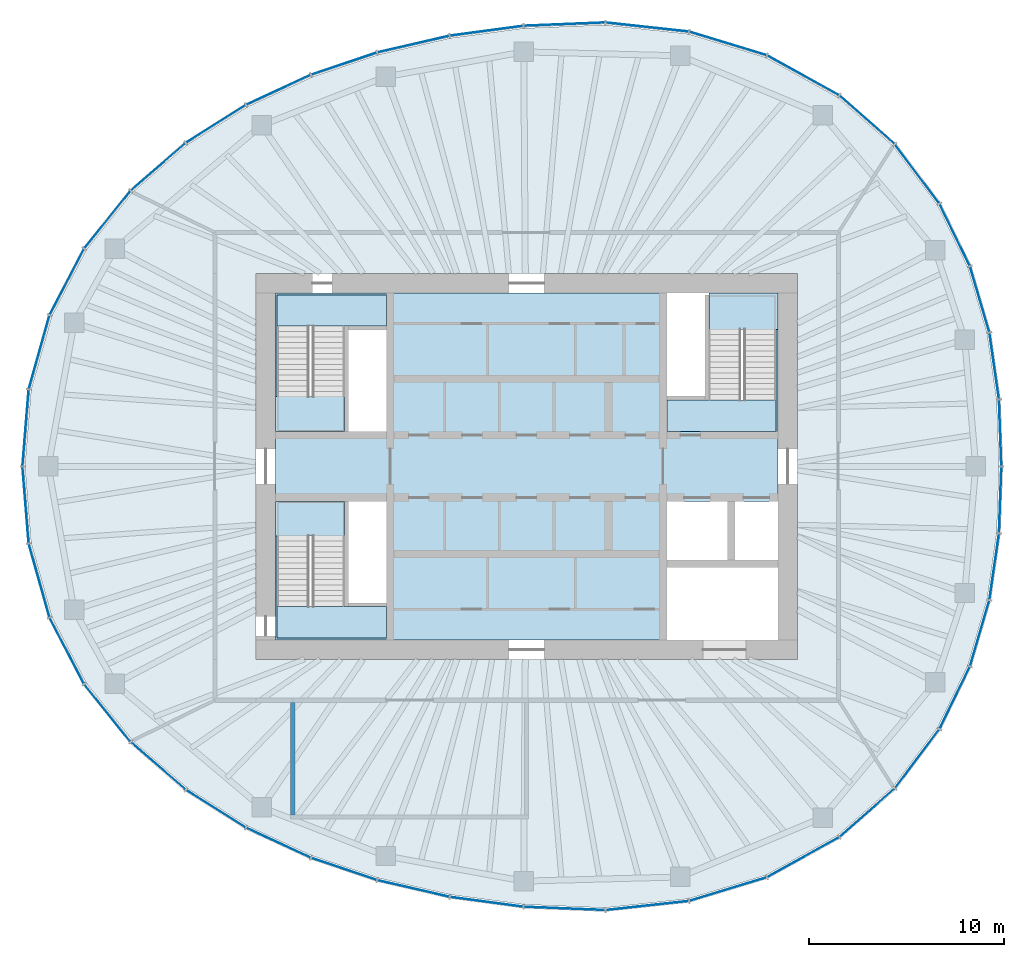
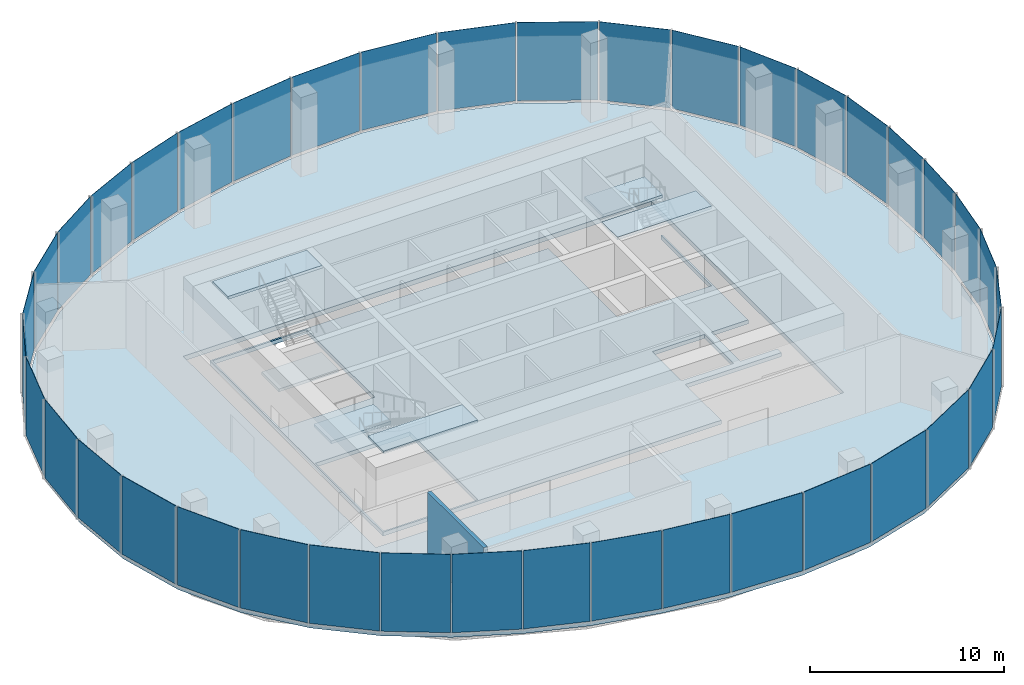
# One storey, part 7 of 11: 40 plates, 8 slabs, 1 wall, 23 elements without a shape of their own.
"""IFC4 building model written with IfcOpenShell, lengths in metres."""

import ifcopenshell
import ifcopenshell.guid

model = None  # the IFC model being written
_history = None  # IfcOwnerHistory: only IFC2X3 demands one
_inside = {}  # id of a spatial element -> (the spatial element, [elements in it])
_under = {}  # id of a project, library or spatial element -> (it, [spatial elements below it])
_declared = {}  # id of a project -> (the project, [libraries it declares])
_typed = {}  # id of a type object -> (the type object, [elements of that type])
_made_of = {}  # id of a material, layer set ... -> (it, [elements and type objects made of it])


def new_model(schema):
    """Start an empty IFC model of exactly this schema.

    Asked for "IFC4X3", IfcOpenShell would pick the latest addendum, in which some entities
    have other attributes; the version numbers below select the first issue.
    IFC2X3 requires an IfcOwnerHistory on every rooted entity: one is made here for all.
    """
    global model, _history
    if schema == "IFC4X3":
        model = ifcopenshell.file(schema_version=(4, 3, 0, 0))
    else:
        model = ifcopenshell.file(schema=schema)
    _inside.clear()
    _under.clear()
    _declared.clear()
    _typed.clear()
    _made_of.clear()
    _history = None
    if model.schema == "IFC2X3":
        org = make("IfcOrganization", Name="unknown")
        user = make(
            "IfcPersonAndOrganization",
            ThePerson=make("IfcPerson", FamilyName="unknown"),
            TheOrganization=org,
        )
        app = make(
            "IfcApplication",
            ApplicationDeveloper=org,
            Version="unknown",
            ApplicationFullName="unknown",
            ApplicationIdentifier="unknown",
        )
        _history = make(
            "IfcOwnerHistory",
            OwningUser=user,
            OwningApplication=app,
            ChangeAction="ADDED",
            CreationDate=0,
        )
    return model


def make(cls, **values):
    """One entity of the class cls with the attributes given. An attribute that is None is left unset."""
    return model.create_entity(
        cls, **{name: value for name, value in values.items() if value is not None}
    )


def rooted(cls, **values):
    """An entity with a GlobalId (a new one), such as an element, a storey or a relation."""
    return make(cls, GlobalId=ifcopenshell.guid.new(), OwnerHistory=_history, **values)


def si_unit(unit_type, name, prefix=None):
    """IfcSIUnit, for example si_unit("LENGTHUNIT", "METRE", prefix="MILLI")."""
    return make("IfcSIUnit", UnitType=unit_type, Prefix=prefix, Name=name)


def assignment(units):
    """IfcUnitAssignment: the units of a project."""
    return None if units is None else make("IfcUnitAssignment", Units=units)


def point(xyz):
    """IfcCartesianPoint."""
    return None if xyz is None else make("IfcCartesianPoint", Coordinates=xyz)


def direction(xyz):
    """IfcDirection."""
    return None if xyz is None else make("IfcDirection", DirectionRatios=xyz)


def frame(location, z_axis=None, x_axis=None):
    """IfcAxis2Placement3D, a coordinate frame: its origin and axes. An axis left out is left unset."""
    return make(
        "IfcAxis2Placement3D",
        Location=point(location),
        Axis=direction(z_axis),
        RefDirection=direction(x_axis),
    )


def frame_2d(location, x_axis=None):
    """IfcAxis2Placement2D, a coordinate frame in the plane: its origin and x axis."""
    return make(
        "IfcAxis2Placement2D", Location=point(location), RefDirection=direction(x_axis)
    )


def origin():
    """The frame at (0, 0, 0) with its axes left unset."""
    return frame((0.0, 0.0, 0.0))


def origin_2d():
    """The frame at (0, 0) in the plane with its x axis left unset."""
    return frame_2d((0.0, 0.0))


def place(relative_to, where):
    """IfcLocalPlacement: puts the frame where relative to a parent placement (None: the world)."""
    return make(
        "IfcLocalPlacement", PlacementRelTo=relative_to, RelativePlacement=where
    )


def context(
    kind, dimensions, precision=None, world=None, true_north=None, identifier=None
):
    """IfcGeometricRepresentationContext, for example the 3D "Model" context."""
    return make(
        "IfcGeometricRepresentationContext",
        ContextIdentifier=identifier,
        ContextType=kind,
        CoordinateSpaceDimension=dimensions,
        Precision=precision,
        WorldCoordinateSystem=world,
        TrueNorth=true_north,
    )


def subcontext(parent, identifier, kind, view, scale=None):
    """IfcGeometricRepresentationSubContext, for example "Body" below "Model"."""
    return make(
        "IfcGeometricRepresentationSubContext",
        ContextIdentifier=identifier,
        ContextType=kind,
        ParentContext=parent,
        TargetScale=scale,
        TargetView=view,
    )


def project(units=None, contexts=None):
    """IfcProject with its units and contexts."""
    return rooted(
        "IfcProject",
        Name="project",
        RepresentationContexts=contexts,
        UnitsInContext=assignment(units),
    )


def spatial(cls, under=None, at=None, **own):
    """A site, building, storey or space (cls), placed at a placement, below another one or the project."""
    s = rooted(cls, ObjectPlacement=at, **own)
    if under is not None:
        _under.setdefault(under.id(), (under, []))[1].append(s)
    return s


def polyline(points):
    """IfcPolyline through the points."""
    return make("IfcPolyline", Points=[point(p) for p in points])


def profile(cls, at=None, kind="AREA", **sizes):
    """A parametric profile (cls). Its sizes go by their IFC names, for example OverallWidth=200.0."""
    return make(cls, ProfileType=kind, Position=at, **sizes)


def rectangle(**sizes):
    """IfcRectangleProfileDef."""
    return profile("IfcRectangleProfileDef", **sizes)


def outline(outer, holes=None, kind="AREA"):
    """IfcArbitraryClosedProfileDef: a profile drawn as a closed curve; with holes, ...WithVoids."""
    if holes is None:
        return make("IfcArbitraryClosedProfileDef", ProfileType=kind, OuterCurve=outer)
    return make(
        "IfcArbitraryProfileDefWithVoids",
        ProfileType=kind,
        OuterCurve=outer,
        InnerCurves=holes,
    )


def extrude(swept, where, along, depth):
    """IfcExtrudedAreaSolid: the profile swept, set in the frame where, extruded along a direction by depth."""
    return make(
        "IfcExtrudedAreaSolid",
        SweptArea=swept,
        Position=where,
        ExtrudedDirection=direction(along),
        Depth=depth,
    )


def shape(context_of_items, identifier, shape_type, items):
    """IfcShapeRepresentation: the items that make up one representation, for example the "Body"."""
    return make(
        "IfcShapeRepresentation",
        ContextOfItems=context_of_items,
        RepresentationIdentifier=identifier,
        RepresentationType=shape_type,
        Items=items,
    )


def material(Name=None, Category=None):
    """IfcMaterial."""
    return make("IfcMaterial", Name=Name, Category=Category)


def layer(
    of_material, thickness, ventilated=None, Name=None, Category=None, Priority=None
):
    """IfcMaterialLayer: one layer of a wall or slab, of a material (None: an air gap)."""
    return make(
        "IfcMaterialLayer",
        Material=of_material,
        LayerThickness=thickness,
        IsVentilated=ventilated,
        Name=Name,
        Category=Category,
        Priority=Priority,
    )


def layer_set(layers, Name=None):
    """IfcMaterialLayerSet."""
    return make("IfcMaterialLayerSet", MaterialLayers=layers, LayerSetName=Name)


def made_of(thing, what):
    """Note that an element or type object is made of a material, layer set ...; save() writes the relation."""
    if what is not None:
        _made_of.setdefault(what.id(), (what, []))[1].append(thing)
    return thing


def type_object(cls, material=None, **own):
    """A type object (cls), such as IfcWallType, which elements share."""
    return made_of(rooted(cls, **own), material)


def element(
    cls,
    number,
    at=None,
    inside=None,
    cuts=None,
    type_object=None,
    material=None,
    context=None,
    identifier="Body",
    shape_type=None,
    held_by="IfcProductDefinitionShape",
    body=None,
    shapes=None,
    **own,
):
    """One element of the class cls, such as IfcWall. Its Tag is "e" and its number.

    at: its placement. inside: the storey or other place that contains it. cuts: it is an
    opening in that element (IfcRelVoidsElement). A single representation is given by context,
    identifier, shape_type and body (its items); several are given by shapes. held_by: the class
    of the entity that holds the representations. save() writes the other relations.
    """
    e = rooted(cls, Tag="e%d" % number, ObjectPlacement=at, **own)
    if body is not None:
        shapes = [shape(context, identifier, shape_type, body)]
    if shapes is not None:
        e.Representation = make(held_by, Representations=shapes)
    if inside is not None:
        _inside.setdefault(inside.id(), (inside, []))[1].append(e)
    if cuts is not None:
        rooted(
            "IfcRelVoidsElement", RelatingBuildingElement=cuts, RelatedOpeningElement=e
        )
    if type_object is not None:
        _typed.setdefault(type_object.id(), (type_object, []))[1].append(e)
    return made_of(e, material)


def aggregate(whole, parts):
    """IfcRelAggregates: a whole, such as a stair, and the parts it consists of."""
    return rooted("IfcRelAggregates", RelatingObject=whole, RelatedObjects=parts)


def save(model, path):
    """Write the relations noted so far, then the file.

    IfcRelAggregates (storeys below a building ...), IfcRelContainedInSpatialStructure (elements
    in a storey), IfcRelDefinesByType, IfcRelAssociatesMaterial and IfcRelDeclares: one each for
    every whole, place, type object, material and project.
    """
    for whole, parts in _under.values():
        aggregate(whole, parts)
    for where, things in _inside.values():
        rooted(
            "IfcRelContainedInSpatialStructure",
            RelatedElements=things,
            RelatingStructure=where,
        )
    for kind, things in _typed.values():
        rooted("IfcRelDefinesByType", RelatedObjects=things, RelatingType=kind)
    for what, things in _made_of.values():
        rooted("IfcRelAssociatesMaterial", RelatedObjects=things, RelatingMaterial=what)
    for by, libraries in _declared.values():
        rooted("IfcRelDeclares", RelatingContext=by, RelatedDefinitions=libraries)
    model.write(path)


model = new_model("IFC4")

# Units and contexts
model_context = context("Model", 3, precision=1e-05, world=origin(), true_north=direction((0.0, 1.0)))
body_context = subcontext(model_context, "Body", "Model", "MODEL_VIEW")
ifc_project = project(units=[si_unit("LENGTHUNIT", "METRE"), si_unit("AREAUNIT", "SQUARE_METRE"), si_unit("VOLUMEUNIT", "CUBIC_METRE"), si_unit("PLANEANGLEUNIT", "RADIAN"), si_unit("MASSUNIT", "GRAM", prefix="KILO")], contexts=[model_context])

# Site, building, storey
site_placement = place(None, origin())
site = spatial("IfcSite", under=ifc_project, at=site_placement, CompositionType="ELEMENT")
building_placement = place(site_placement, origin())
building = spatial("IfcBuilding", under=site, at=building_placement, Name="Ghaith Harvest Tower", CompositionType="ELEMENT")
storey_placement = place(building_placement, frame((0.0, 0.0, 339.199951171875)))
storey = spatial("IfcBuildingStorey", under=building, at=storey_placement, Name="L76", CompositionType="ELEMENT", Elevation=339.199951171875)

# Curtain wall, plates
ifc_material_1 = material(Name="Black anodised aluminium and fritted glass", Category="aluminium")
curtain_wall_type = type_object("IfcCurtainWallType", Name="CW-C CURTAIN WALL", PredefinedType="NOTDEFINED", material=ifc_material_1)
curtain_wall_1_placement = place(storey_placement, origin())
curtain_wall_1 = element("IfcCurtainWall", 1, at=curtain_wall_1_placement, inside=storey, type_object=curtain_wall_type, Name="Curtain wall CW-C bay 01 L76", PredefinedType="NOTDEFINED")
ifc_material_2 = material(Name="Glass, translucent fritted laminated unit", Category="glass")
ifc_layer_1 = layer(ifc_material_2, 0.02392578125)
ifc_layer_set_1 = layer_set([ifc_layer_1], Name="CW-C VISION PANEL")
plate_type = type_object("IfcPlateType", Name="CW-C VISION PANEL", PredefinedType="CURTAIN_PANEL", material=ifc_layer_set_1)
plate_1_placement = place(storey_placement, frame((24.308837890625, 1.716796875, 0.080078125), z_axis=(0.0, 0.0, 1.0), x_axis=(-0.035536161859, 0.999368391135, 0.0)))
plate_1 = element("IfcPlate", 2, at=plate_1_placement, type_object=plate_type, Name="CW-C panel 1 bay 01 L76", PredefinedType="CURTAIN_PANEL", context=body_context, shape_type="SweptSolid", body=[
    extrude(rectangle(XDim=3.35595703125, YDim=0.02392578125, at=origin_2d()), origin(), (0.0, 0.0, 1.0), 4.919921875),
])
plate_2_placement = place(storey_placement, frame((24.00048828125, 5.1494140625, 0.080078125), z_axis=(0.0, 0.0, 1.0), x_axis=(-0.142729771229, 0.989761694755, 0.0)))
plate_2 = element("IfcPlate", 3, at=plate_2_placement, type_object=plate_type, Name="CW-C panel 2 bay 01 L76", PredefinedType="CURTAIN_PANEL", context=body_context, shape_type="SweptSolid", body=[
    extrude(rectangle(XDim=3.38671875, YDim=0.02392578125, at=origin_2d()), origin(), (0.0, 0.0, 1.0), 4.919921875),
])
aggregate(curtain_wall_1, [plate_1, plate_2])

curtain_wall_2_placement = place(storey_placement, origin())
curtain_wall_2 = element("IfcCurtainWall", 4, at=curtain_wall_2_placement, inside=storey, type_object=curtain_wall_type, Name="Curtain wall CW-C bay 02 L76", PredefinedType="NOTDEFINED")
plate_3_placement = place(storey_placement, frame((23.253662109375, 8.56884765625, 0.080078125), z_axis=(0.0, 0.0, 1.0), x_axis=(-0.281344622776, 0.959606796159, 0.0)))
plate_3 = element("IfcPlate", 5, at=plate_3_placement, type_object=plate_type, Name="CW-C panel 1 bay 02 L76", PredefinedType="CURTAIN_PANEL", context=body_context, shape_type="SweptSolid", body=[
    extrude(rectangle(XDim=3.470703125, YDim=0.02392578125, at=origin_2d()), origin(), (0.0, 0.0, 1.0), 4.919921875),
])
plate_4_placement = place(storey_placement, frame((21.9716796875, 11.878662109375, 0.080078125), z_axis=(0.0, 0.0, 1.0), x_axis=(-0.437968365148, 0.898990384337, 0.0)))
plate_4 = element("IfcPlate", 6, at=plate_4_placement, type_object=plate_type, Name="CW-C panel 2 bay 02 L76", PredefinedType="CURTAIN_PANEL", context=body_context, shape_type="SweptSolid", body=[
    extrude(rectangle(XDim=3.49365234375, YDim=0.02392578125, at=origin_2d()), origin(), (0.0, 0.0, 1.0), 4.919921875),
])
aggregate(curtain_wall_2, [plate_3, plate_4])

curtain_wall_3_placement = place(storey_placement, origin())
curtain_wall_3 = element("IfcCurtainWall", 7, at=curtain_wall_3_placement, inside=storey, type_object=curtain_wall_type, Name="Curtain wall CW-C bay 03 L76", PredefinedType="NOTDEFINED")
plate_5_placement = place(storey_placement, frame((20.045166015625, 15.006103515625, 0.080078125), z_axis=(0.0, 0.0, 1.0), x_axis=(-0.601047892764, 0.799213007029, 0.0)))
plate_5 = element("IfcPlate", 8, at=plate_5_placement, type_object=plate_type, Name="CW-C panel 1 bay 03 L76", PredefinedType="CURTAIN_PANEL", context=body_context, shape_type="SweptSolid", body=[
    extrude(rectangle(XDim=3.7265625, YDim=0.02392578125, at=origin_2d()), origin(), (0.0, 0.0, 1.0), 4.919921875),
])
plate_6_placement = place(storey_placement, frame((17.47509765625, 17.779541015625, 0.080078125), z_axis=(0.0, 0.0, 1.0), x_axis=(-0.751334532416, 0.659921525941, 0.0)))
plate_6 = element("IfcPlate", 9, at=plate_6_placement, type_object=plate_type, Name="CW-C panel 2 bay 03 L76", PredefinedType="CURTAIN_PANEL", context=body_context, shape_type="SweptSolid", body=[
    extrude(rectangle(XDim=3.7158203125, YDim=0.02392578125, at=origin_2d()), origin(), (0.0, 0.0, 1.0), 4.919921875),
])
aggregate(curtain_wall_3, [plate_5, plate_6])

curtain_wall_4_placement = place(storey_placement, origin())
curtain_wall_4 = element("IfcCurtainWall", 10, at=curtain_wall_4_placement, inside=storey, type_object=curtain_wall_type, Name="Curtain wall CW-C bay 04 L76", PredefinedType="NOTDEFINED")
plate_7_placement = place(storey_placement, frame((14.19189453125, 20.06201171875, 0.080078125), z_axis=(0.0, 0.0, 1.0), x_axis=(-0.87456402291, 0.484910063653, 0.0)))
plate_7 = element("IfcPlate", 11, at=plate_7_placement, type_object=plate_type, Name="CW-C panel 1 bay 04 L76", PredefinedType="CURTAIN_PANEL", context=body_context, shape_type="SweptSolid", body=[
    extrude(rectangle(XDim=4.167724609375, YDim=0.02392578125, at=origin_2d()), origin(), (0.0, 0.0, 1.0), 4.919921875),
])
plate_8_placement = place(storey_placement, frame((10.337158203125, 21.700439453125, 0.080078125), z_axis=(0.0, 0.0, 1.0), x_axis=(-0.956587736124, 0.291444511181, 0.0)))
plate_8 = element("IfcPlate", 12, at=plate_8_placement, type_object=plate_type, Name="CW-C panel 2 bay 04 L76", PredefinedType="CURTAIN_PANEL", context=body_context, shape_type="SweptSolid", body=[
    extrude(rectangle(XDim=4.095703125, YDim=0.02392578125, at=origin_2d()), origin(), (0.0, 0.0, 1.0), 4.919921875),
])
aggregate(curtain_wall_4, [plate_7, plate_8])

curtain_wall_5_placement = place(storey_placement, origin())
curtain_wall_5 = element("IfcCurtainWall", 13, at=curtain_wall_5_placement, inside=storey, type_object=curtain_wall_type, Name="Curtain wall CW-C bay 05 L76", PredefinedType="NOTDEFINED")
plate_9_placement = place(storey_placement, frame((6.188720703125, 22.542724609375, 0.080078125), z_axis=(0.0, 0.0, 1.0), x_axis=(-0.994142883447, 0.108073712304, 0.0)))
plate_9 = element("IfcPlate", 14, at=plate_9_placement, type_object=plate_type, Name="CW-C panel 1 bay 05 L76", PredefinedType="CURTAIN_PANEL", context=body_context, shape_type="SweptSolid", body=[
    extrude(rectangle(XDim=4.24755859375, YDim=0.02392578125, at=origin_2d()), origin(), (0.0, 0.0, 1.0), 4.919921875),
])
plate_10_placement = place(storey_placement, frame((1.94140625, 22.691162109375, 0.080078125), z_axis=(0.0, 0.0, 1.0), x_axis=(-0.999173925852, -0.040638231968, 0.0)))
plate_10 = element("IfcPlate", 15, at=plate_10_placement, type_object=plate_type, Name="CW-C panel 2 bay 05 L76", PredefinedType="CURTAIN_PANEL", context=body_context, shape_type="SweptSolid", body=[
    extrude(rectangle(XDim=4.115966796875, YDim=0.02392578125, at=origin_2d()), origin(), (0.0, 0.0, 1.0), 4.919921875),
])
aggregate(curtain_wall_5, [plate_9, plate_10])

curtain_wall_6_placement = place(storey_placement, origin())
curtain_wall_6 = element("IfcCurtainWall", 16, at=curtain_wall_6_placement, inside=storey, type_object=curtain_wall_type, Name="Curtain wall CW-C bay 06 L76", PredefinedType="NOTDEFINED")
plate_11_placement = place(storey_placement, frame((-2.050537109375, 22.352294921875, 0.080078125), z_axis=(0.0, 0.0, 1.0), x_axis=(-0.991165262661, -0.132632658474, 0.0)))
plate_11 = element("IfcPlate", 17, at=plate_11_placement, type_object=plate_type, Name="CW-C panel 1 bay 06 L76", PredefinedType="CURTAIN_PANEL", context=body_context, shape_type="SweptSolid", body=[
    extrude(rectangle(XDim=3.74560546875, YDim=0.02392578125, at=origin_2d()), origin(), (0.0, 0.0, 1.0), 4.919921875),
])
plate_12_placement = place(storey_placement, frame((-5.80859375, 21.66845703125, 0.080078125), z_axis=(0.0, 0.0, 1.0), x_axis=(-0.974342245415, -0.225071519297, 0.0)))
plate_12 = element("IfcPlate", 18, at=plate_12_placement, type_object=plate_type, Name="CW-C panel 2 bay 06 L76", PredefinedType="CURTAIN_PANEL", context=body_context, shape_type="SweptSolid", body=[
    extrude(rectangle(XDim=3.742431640625, YDim=0.02392578125, at=origin_2d()), origin(), (0.0, 0.0, 1.0), 4.919921875),
])
aggregate(curtain_wall_6, [plate_11, plate_12])

curtain_wall_7_placement = place(storey_placement, origin())
curtain_wall_7 = element("IfcCurtainWall", 19, at=curtain_wall_7_placement, inside=storey, type_object=curtain_wall_type, Name="Curtain wall CW-C bay 07 L76", PredefinedType="NOTDEFINED")
plate_13_placement = place(storey_placement, frame((-9.369140625, 20.665771484375, 0.080078125), z_axis=(0.0, 0.0, 1.0), x_axis=(-0.947586403329, -0.319499621637, 0.0)))
plate_13 = element("IfcPlate", 20, at=plate_13_placement, type_object=plate_type, Name="CW-C panel 1 bay 07 L76", PredefinedType="CURTAIN_PANEL", context=body_context, shape_type="SweptSolid", body=[
    extrude(rectangle(XDim=3.50439453125, YDim=0.02392578125, at=origin_2d()), origin(), (0.0, 0.0, 1.0), 4.919921875),
])
plate_14_placement = place(storey_placement, frame((-12.736083984375, 19.3203125, 0.080078125), z_axis=(0.0, 0.0, 1.0), x_axis=(-0.907450165401, -0.420159728334, 0.0)))
plate_14 = element("IfcPlate", 21, at=plate_14_placement, type_object=plate_type, Name="CW-C panel 2 bay 07 L76", PredefinedType="CURTAIN_PANEL", context=body_context, shape_type="SweptSolid", body=[
    extrude(rectangle(XDim=3.597900390625, YDim=0.02392578125, at=origin_2d()), origin(), (0.0, 0.0, 1.0), 4.919921875),
])
aggregate(curtain_wall_7, [plate_13, plate_14])

curtain_wall_8_placement = place(storey_placement, origin())
curtain_wall_8 = element("IfcCurtainWall", 22, at=curtain_wall_8_placement, inside=storey, type_object=curtain_wall_type, Name="Curtain wall CW-C bay 08 L76", PredefinedType="NOTDEFINED")
plate_15_placement = place(storey_placement, frame((-15.94970703125, 17.57421875, 0.080078125), z_axis=(0.0, 0.0, 1.0), x_axis=(-0.846043473903, -0.533113909279, 0.0)))
plate_15 = element("IfcPlate", 23, at=plate_15_placement, type_object=plate_type, Name="CW-C panel 1 bay 08 L76", PredefinedType="CURTAIN_PANEL", context=body_context, shape_type="SweptSolid", body=[
    extrude(rectangle(XDim=3.572021484375, YDim=0.02392578125, at=origin_2d()), origin(), (0.0, 0.0, 1.0), 4.919921875),
])
plate_16_placement = place(storey_placement, frame((-18.909423828125, 15.371337890625, 0.080078125), z_axis=(0.0, 0.0, 1.0), x_axis=(-0.754828549513, -0.655922145411, 0.0)))
plate_16 = element("IfcPlate", 24, at=plate_16_placement, type_object=plate_type, Name="CW-C panel 2 bay 08 L76", PredefinedType="CURTAIN_PANEL", context=body_context, shape_type="SweptSolid", body=[
    extrude(rectangle(XDim=3.668701171875, YDim=0.02392578125, at=origin_2d()), origin(), (0.0, 0.0, 1.0), 4.919921875),
])
aggregate(curtain_wall_8, [plate_15, plate_16])

curtain_wall_9_placement = place(storey_placement, origin())
curtain_wall_9 = element("IfcCurtainWall", 25, at=curtain_wall_9_placement, inside=storey, type_object=curtain_wall_type, Name="Curtain wall CW-C bay 09 L76", PredefinedType="NOTDEFINED")
plate_17_placement = place(storey_placement, frame((-21.515380859375, 12.6591796875, 0.080078125), z_axis=(0.0, 0.0, 1.0), x_axis=(-0.626229505742, -0.779638766441, 0.0)))
plate_17 = element("IfcPlate", 26, at=plate_17_placement, type_object=plate_type, Name="CW-C panel 1 bay 09 L76", PredefinedType="CURTAIN_PANEL", context=body_context, shape_type="SweptSolid", body=[
    extrude(rectangle(XDim=3.723388671875, YDim=0.02392578125, at=origin_2d()), origin(), (0.0, 0.0, 1.0), 4.919921875),
])
plate_18_placement = place(storey_placement, frame((-23.594482421875, 9.4677734375, 0.080078125), z_axis=(0.0, 0.0, 1.0), x_axis=(-0.461229945578, -0.887280641794, 0.0)))
plate_18 = element("IfcPlate", 27, at=plate_18_placement, type_object=plate_type, Name="CW-C panel 2 bay 09 L76", PredefinedType="CURTAIN_PANEL", context=body_context, shape_type="SweptSolid", body=[
    extrude(rectangle(XDim=3.771728515625, YDim=0.02392578125, at=origin_2d()), origin(), (0.0, 0.0, 1.0), 4.919921875),
])
aggregate(curtain_wall_9, [plate_17, plate_18])

curtain_wall_10_placement = place(storey_placement, origin())
curtain_wall_10 = element("IfcCurtainWall", 28, at=curtain_wall_10_placement, inside=storey, type_object=curtain_wall_type, Name="Curtain wall CW-C bay 10 L76", PredefinedType="NOTDEFINED")
plate_19_placement = place(storey_placement, frame((-25.017333984375, 5.85546875, 0.080078125), z_axis=(0.0, 0.0, 1.0), x_axis=(-0.270355239749, -0.962760637095, 0.0)))
plate_19 = element("IfcPlate", 29, at=plate_19_placement, type_object=plate_type, Name="CW-C panel 1 bay 10 L76", PredefinedType="CURTAIN_PANEL", context=body_context, shape_type="SweptSolid", body=[
    extrude(rectangle(XDim=3.874267578125, YDim=0.02392578125, at=origin_2d()), origin(), (0.0, 0.0, 1.0), 4.919921875),
])
plate_20_placement = place(storey_placement, frame((-25.7109375, 1.97607421875, 0.080078125), z_axis=(0.0, 0.0, 1.0), x_axis=(-0.080257648011, -0.99677415192, 0.0)))
plate_20 = element("IfcPlate", 30, at=plate_20_placement, type_object=plate_type, Name="CW-C panel 2 bay 10 L76", PredefinedType="CURTAIN_PANEL", context=body_context, shape_type="SweptSolid", body=[
    extrude(rectangle(XDim=3.884765625, YDim=0.02392578125, at=origin_2d()), origin(), (0.0, 0.0, 1.0), 4.919921875),
])
aggregate(curtain_wall_10, [plate_19, plate_20])

curtain_wall_11_placement = place(storey_placement, origin())
curtain_wall_11 = element("IfcCurtainWall", 31, at=curtain_wall_11_placement, inside=storey, type_object=curtain_wall_type, Name="Curtain wall CW-C bay 11 L76", PredefinedType="NOTDEFINED")
plate_21_placement = place(storey_placement, frame((-25.7109375, -1.97607421875, 0.080078125), z_axis=(0.0, 0.0, 1.0), x_axis=(0.080257648324, -0.996774151895, 0.0)))
plate_21 = element("IfcPlate", 32, at=plate_21_placement, type_object=plate_type, Name="CW-C panel 1 bay 11 L76", PredefinedType="CURTAIN_PANEL", context=body_context, shape_type="SweptSolid", body=[
    extrude(rectangle(XDim=3.884765625, YDim=0.02392578125, at=origin_2d()), origin(), (0.0, 0.0, 1.0), 4.919921875),
])
plate_22_placement = place(storey_placement, frame((-25.017333984375, -5.85546875, 0.080078125), z_axis=(0.0, 0.0, 1.0), x_axis=(0.27035523953, -0.962760637157, 0.0)))
plate_22 = element("IfcPlate", 33, at=plate_22_placement, type_object=plate_type, Name="CW-C panel 2 bay 11 L76", PredefinedType="CURTAIN_PANEL", context=body_context, shape_type="SweptSolid", body=[
    extrude(rectangle(XDim=3.874267578125, YDim=0.02392578125, at=origin_2d()), origin(), (0.0, 0.0, 1.0), 4.919921875),
])
aggregate(curtain_wall_11, [plate_21, plate_22])

curtain_wall_12_placement = place(storey_placement, origin())
curtain_wall_12 = element("IfcCurtainWall", 34, at=curtain_wall_12_placement, inside=storey, type_object=curtain_wall_type, Name="Curtain wall CW-C bay 12 L76", PredefinedType="NOTDEFINED")
plate_23_placement = place(storey_placement, frame((-23.594482421875, -9.4677734375, 0.080078125), z_axis=(0.0, 0.0, 1.0), x_axis=(0.461229945377, -0.887280641898, 0.0)))
plate_23 = element("IfcPlate", 35, at=plate_23_placement, type_object=plate_type, Name="CW-C panel 1 bay 12 L76", PredefinedType="CURTAIN_PANEL", context=body_context, shape_type="SweptSolid", body=[
    extrude(rectangle(XDim=3.771728515625, YDim=0.02392578125, at=origin_2d()), origin(), (0.0, 0.0, 1.0), 4.919921875),
])
plate_24_placement = place(storey_placement, frame((-21.515380859375, -12.6591796875, 0.080078125), z_axis=(0.0, 0.0, 1.0), x_axis=(0.626229505565, -0.779638766583, 0.0)))
plate_24 = element("IfcPlate", 36, at=plate_24_placement, type_object=plate_type, Name="CW-C panel 2 bay 12 L76", PredefinedType="CURTAIN_PANEL", context=body_context, shape_type="SweptSolid", body=[
    extrude(rectangle(XDim=3.723388671875, YDim=0.02392578125, at=origin_2d()), origin(), (0.0, 0.0, 1.0), 4.919921875),
])
aggregate(curtain_wall_12, [plate_23, plate_24])

curtain_wall_13_placement = place(storey_placement, origin())
curtain_wall_13 = element("IfcCurtainWall", 37, at=curtain_wall_13_placement, inside=storey, type_object=curtain_wall_type, Name="Curtain wall CW-C bay 13 L76", PredefinedType="NOTDEFINED")
plate_25_placement = place(storey_placement, frame((-18.909423828125, -15.371337890625, 0.080078125), z_axis=(0.0, 0.0, 1.0), x_axis=(0.754828549376, -0.655922145569, 0.0)))
plate_25 = element("IfcPlate", 38, at=plate_25_placement, type_object=plate_type, Name="CW-C panel 1 bay 13 L76", PredefinedType="CURTAIN_PANEL", context=body_context, shape_type="SweptSolid", body=[
    extrude(rectangle(XDim=3.668701171875, YDim=0.02392578125, at=origin_2d()), origin(), (0.0, 0.0, 1.0), 4.919921875),
])
plate_26_placement = place(storey_placement, frame((-15.94970703125, -17.57421875, 0.080078125), z_axis=(0.0, 0.0, 1.0), x_axis=(0.846043474052, -0.533113909042, 0.0)))
plate_26 = element("IfcPlate", 39, at=plate_26_placement, type_object=plate_type, Name="CW-C panel 2 bay 13 L76", PredefinedType="CURTAIN_PANEL", context=body_context, shape_type="SweptSolid", body=[
    extrude(rectangle(XDim=3.572021484375, YDim=0.02392578125, at=origin_2d()), origin(), (0.0, 0.0, 1.0), 4.919921875),
])
aggregate(curtain_wall_13, [plate_25, plate_26])

curtain_wall_14_placement = place(storey_placement, origin())
curtain_wall_14 = element("IfcCurtainWall", 40, at=curtain_wall_14_placement, inside=storey, type_object=curtain_wall_type, Name="Curtain wall CW-C bay 14 L76", PredefinedType="NOTDEFINED")
plate_27_placement = place(storey_placement, frame((-12.736083984375, -19.3203125, 0.080078125), z_axis=(0.0, 0.0, 1.0), x_axis=(0.907450165812, -0.420159727447, 0.0)))
plate_27 = element("IfcPlate", 41, at=plate_27_placement, type_object=plate_type, Name="CW-C panel 1 bay 14 L76", PredefinedType="CURTAIN_PANEL", context=body_context, shape_type="SweptSolid", body=[
    extrude(rectangle(XDim=3.597900390625, YDim=0.02392578125, at=origin_2d()), origin(), (0.0, 0.0, 1.0), 4.919921875),
])
plate_28_placement = place(storey_placement, frame((-9.369140625, -20.665771484375, 0.080078125), z_axis=(0.0, 0.0, 1.0), x_axis=(0.947586403597, -0.319499620843, 0.0)))
plate_28 = element("IfcPlate", 42, at=plate_28_placement, type_object=plate_type, Name="CW-C panel 2 bay 14 L76", PredefinedType="CURTAIN_PANEL", context=body_context, shape_type="SweptSolid", body=[
    extrude(rectangle(XDim=3.50439453125, YDim=0.02392578125, at=origin_2d()), origin(), (0.0, 0.0, 1.0), 4.919921875),
])
aggregate(curtain_wall_14, [plate_27, plate_28])

curtain_wall_15_placement = place(storey_placement, origin())
curtain_wall_15 = element("IfcCurtainWall", 43, at=curtain_wall_15_placement, inside=storey, type_object=curtain_wall_type, Name="Curtain wall CW-C bay 15 L76", PredefinedType="NOTDEFINED")
plate_29_placement = place(storey_placement, frame((-5.80859375, -21.66845703125, 0.080078125), z_axis=(0.0, 0.0, 1.0), x_axis=(0.974342245521, -0.225071518838, 0.0)))
plate_29 = element("IfcPlate", 44, at=plate_29_placement, type_object=plate_type, Name="CW-C panel 1 bay 15 L76", PredefinedType="CURTAIN_PANEL", context=body_context, shape_type="SweptSolid", body=[
    extrude(rectangle(XDim=3.742431640625, YDim=0.02392578125, at=origin_2d()), origin(), (0.0, 0.0, 1.0), 4.919921875),
])
plate_30_placement = place(storey_placement, frame((-2.050537109375, -22.352294921875, 0.080078125), z_axis=(0.0, 0.0, 1.0), x_axis=(0.991165262684, -0.132632658301, 0.0)))
plate_30 = element("IfcPlate", 45, at=plate_30_placement, type_object=plate_type, Name="CW-C panel 2 bay 15 L76", PredefinedType="CURTAIN_PANEL", context=body_context, shape_type="SweptSolid", body=[
    extrude(rectangle(XDim=3.74560546875, YDim=0.02392578125, at=origin_2d()), origin(), (0.0, 0.0, 1.0), 4.919921875),
])
aggregate(curtain_wall_15, [plate_29, plate_30])

curtain_wall_16_placement = place(storey_placement, origin())
curtain_wall_16 = element("IfcCurtainWall", 46, at=curtain_wall_16_placement, inside=storey, type_object=curtain_wall_type, Name="Curtain wall CW-C bay 16 L76", PredefinedType="NOTDEFINED")
plate_31_placement = place(storey_placement, frame((1.94140625, -22.691162109375, 0.080078125), z_axis=(0.0, 0.0, 1.0), x_axis=(0.999173925863, -0.040638231706, 0.0)))
plate_31 = element("IfcPlate", 47, at=plate_31_placement, type_object=plate_type, Name="CW-C panel 1 bay 16 L76", PredefinedType="CURTAIN_PANEL", context=body_context, shape_type="SweptSolid", body=[
    extrude(rectangle(XDim=4.115966796875, YDim=0.02392578125, at=origin_2d()), origin(), (0.0, 0.0, 1.0), 4.919921875),
])
plate_32_placement = place(storey_placement, frame((6.188720703125, -22.542724609375, 0.080078125), z_axis=(0.0, 0.0, 1.0), x_axis=(0.994142883417, 0.108073712581, 0.0)))
plate_32 = element("IfcPlate", 48, at=plate_32_placement, type_object=plate_type, Name="CW-C panel 2 bay 16 L76", PredefinedType="CURTAIN_PANEL", context=body_context, shape_type="SweptSolid", body=[
    extrude(rectangle(XDim=4.24755859375, YDim=0.02392578125, at=origin_2d()), origin(), (0.0, 0.0, 1.0), 4.919921875),
])
aggregate(curtain_wall_16, [plate_31, plate_32])

curtain_wall_17_placement = place(storey_placement, origin())
curtain_wall_17 = element("IfcCurtainWall", 49, at=curtain_wall_17_placement, inside=storey, type_object=curtain_wall_type, Name="Curtain wall CW-C bay 17 L76", PredefinedType="NOTDEFINED")
plate_33_placement = place(storey_placement, frame((10.337158203125, -21.700439453125, 0.080078125), z_axis=(0.0, 0.0, 1.0), x_axis=(0.956587736012, 0.291444511548, 0.0)))
plate_33 = element("IfcPlate", 50, at=plate_33_placement, type_object=plate_type, Name="CW-C panel 1 bay 17 L76", PredefinedType="CURTAIN_PANEL", context=body_context, shape_type="SweptSolid", body=[
    extrude(rectangle(XDim=4.095703125, YDim=0.02392578125, at=origin_2d()), origin(), (0.0, 0.0, 1.0), 4.919921875),
])
plate_34_placement = place(storey_placement, frame((14.19189453125, -20.06201171875, 0.080078125), z_axis=(0.0, 0.0, 1.0), x_axis=(0.874564022715, 0.484910064004, 0.0)))
plate_34 = element("IfcPlate", 51, at=plate_34_placement, type_object=plate_type, Name="CW-C panel 2 bay 17 L76", PredefinedType="CURTAIN_PANEL", context=body_context, shape_type="SweptSolid", body=[
    extrude(rectangle(XDim=4.167724609375, YDim=0.02392578125, at=origin_2d()), origin(), (0.0, 0.0, 1.0), 4.919921875),
])
aggregate(curtain_wall_17, [plate_33, plate_34])

curtain_wall_18_placement = place(storey_placement, origin())
curtain_wall_18 = element("IfcCurtainWall", 52, at=curtain_wall_18_placement, inside=storey, type_object=curtain_wall_type, Name="Curtain wall CW-C bay 18 L76", PredefinedType="NOTDEFINED")
plate_35_placement = place(storey_placement, frame((17.47509765625, -17.779541015625, 0.080078125), z_axis=(0.0, 0.0, 1.0), x_axis=(0.751334532577, 0.659921525757, 0.0)))
plate_35 = element("IfcPlate", 53, at=plate_35_placement, type_object=plate_type, Name="CW-C panel 1 bay 18 L76", PredefinedType="CURTAIN_PANEL", context=body_context, shape_type="SweptSolid", body=[
    extrude(rectangle(XDim=3.7158203125, YDim=0.02392578125, at=origin_2d()), origin(), (0.0, 0.0, 1.0), 4.919921875),
])
plate_36_placement = place(storey_placement, frame((20.045166015625, -15.006103515625, 0.080078125), z_axis=(0.0, 0.0, 1.0), x_axis=(0.601047892945, 0.799213006892, 0.0)))
plate_36 = element("IfcPlate", 54, at=plate_36_placement, type_object=plate_type, Name="CW-C panel 2 bay 18 L76", PredefinedType="CURTAIN_PANEL", context=body_context, shape_type="SweptSolid", body=[
    extrude(rectangle(XDim=3.7265625, YDim=0.02392578125, at=origin_2d()), origin(), (0.0, 0.0, 1.0), 4.919921875),
])
aggregate(curtain_wall_18, [plate_35, plate_36])

curtain_wall_19_placement = place(storey_placement, origin())
curtain_wall_19 = element("IfcCurtainWall", 55, at=curtain_wall_19_placement, inside=storey, type_object=curtain_wall_type, Name="Curtain wall CW-C bay 19 L76", PredefinedType="NOTDEFINED")
plate_37_placement = place(storey_placement, frame((21.9716796875, -11.878662109375, 0.080078125), z_axis=(0.0, 0.0, 1.0), x_axis=(0.437968365352, 0.898990384237, 0.0)))
plate_37 = element("IfcPlate", 56, at=plate_37_placement, type_object=plate_type, Name="CW-C panel 1 bay 19 L76", PredefinedType="CURTAIN_PANEL", context=body_context, shape_type="SweptSolid", body=[
    extrude(rectangle(XDim=3.49365234375, YDim=0.02392578125, at=origin_2d()), origin(), (0.0, 0.0, 1.0), 4.919921875),
])
plate_38_placement = place(storey_placement, frame((23.253662109375, -8.56884765625, 0.080078125), z_axis=(0.0, 0.0, 1.0), x_axis=(0.281344622977, 0.9596067961, 0.0)))
plate_38 = element("IfcPlate", 57, at=plate_38_placement, type_object=plate_type, Name="CW-C panel 2 bay 19 L76", PredefinedType="CURTAIN_PANEL", context=body_context, shape_type="SweptSolid", body=[
    extrude(rectangle(XDim=3.470703125, YDim=0.02392578125, at=origin_2d()), origin(), (0.0, 0.0, 1.0), 4.919921875),
])
aggregate(curtain_wall_19, [plate_37, plate_38])

curtain_wall_20_placement = place(storey_placement, origin())
curtain_wall_20 = element("IfcCurtainWall", 58, at=curtain_wall_20_placement, inside=storey, type_object=curtain_wall_type, Name="Curtain wall CW-C bay 20 L76", PredefinedType="NOTDEFINED")
plate_39_placement = place(storey_placement, frame((24.00048828125, -5.1494140625, 0.080078125), z_axis=(0.0, 0.0, 1.0), x_axis=(0.142729771402, 0.98976169473, 0.0)))
plate_39 = element("IfcPlate", 59, at=plate_39_placement, type_object=plate_type, Name="CW-C panel 1 bay 20 L76", PredefinedType="CURTAIN_PANEL", context=body_context, shape_type="SweptSolid", body=[
    extrude(rectangle(XDim=3.38671875, YDim=0.02392578125, at=origin_2d()), origin(), (0.0, 0.0, 1.0), 4.919921875),
])
plate_40_placement = place(storey_placement, frame((24.308837890625, -1.716796875, 0.080078125), z_axis=(0.0, 0.0, 1.0), x_axis=(0.035536161929, 0.999368391133, 0.0)))
plate_40 = element("IfcPlate", 60, at=plate_40_placement, type_object=plate_type, Name="CW-C panel 2 bay 20 L76", PredefinedType="CURTAIN_PANEL", context=body_context, shape_type="SweptSolid", body=[
    extrude(rectangle(XDim=3.35595703125, YDim=0.02392578125, at=origin_2d()), origin(), (0.0, 0.0, 1.0), 4.919921875),
])
aggregate(curtain_wall_20, [plate_39, plate_40])

# Slabs
ifc_material_3 = material(Name="Concrete C40/50", Category="concrete")
ifc_layer_2 = layer(ifc_material_3, 0.25)
ifc_layer_set_2 = layer_set([ifc_layer_2], Name="FLOOR SLAB 250")
slab_type_1 = type_object("IfcSlabType", Name="FLOOR SLAB 250", PredefinedType="FLOOR", material=ifc_layer_set_2)
slab_1_placement = place(storey_placement, frame((0.0, 0.0, -0.25)))
element("IfcSlab", 61, at=slab_1_placement, inside=storey, type_object=slab_type_1, Name="Core slab L76", PredefinedType="FLOOR", context=body_context, shape_type="SweptSolid", body=[
    extrude(outline(polyline([(-12.89990234375, 8.89990234375), (7.199951171875, 8.89990234375), (7.199951171875, 1.800048828125), (12.800048828125, 1.800048828125), (12.800048828125, 7.02001953125), (12.89990234375, 7.02001953125), (12.89990234375, -1.800048828125), (10.699951171875, -1.800048828125), (10.699951171875, -4.800048828125), (12.89990234375, -4.800048828125), (12.89990234375, -5.199951171875), (7.199951171875, -5.199951171875), (7.199951171875, -8.89990234375), (-12.89990234375, -8.89990234375), (-12.89990234375, 8.89990234375)]), holes=[polyline([(-7.199951171875, -1.800048828125), (-12.800048828125, -1.800048828125), (-12.800048828125, -8.800048828125), (-7.199951171875, -8.800048828125), (-7.199951171875, -1.800048828125)]), polyline([(10.300048828125, -1.800048828125), (7.199951171875, -1.800048828125), (7.199951171875, -4.800048828125), (10.300048828125, -4.800048828125), (10.300048828125, -1.800048828125)]), polyline([(-7.199951171875, 1.800048828125), (-7.199951171875, 8.800048828125), (-12.800048828125, 8.800048828125), (-12.800048828125, 1.800048828125), (-7.199951171875, 1.800048828125)])]), origin(), (0.0, 0.0, 1.0), 0.25),
])
ifc_material_4 = material(Name="Concrete C40/50", Category="concrete")
ifc_layer_3 = layer(ifc_material_4, 0.300048828125)
ifc_layer_set_3 = layer_set([ifc_layer_3], Name="FLOOR SLAB 300")
slab_type_2 = type_object("IfcSlabType", Name="FLOOR SLAB 300", PredefinedType="FLOOR", material=ifc_layer_set_3)
slab_2_placement = place(storey_placement, frame((0.0, 0.0, -0.300048828125)))
element("IfcSlab", 62, at=slab_2_placement, inside=storey, type_object=slab_type_2, Name="Floor slab L76", PredefinedType="FLOOR", context=body_context, shape_type="SweptSolid", body=[
    extrude(outline(polyline([(24.25, 0.0), (24.129150390625, 3.4169921875), (23.6376953125, 6.831787109375), (22.644775390625, 10.222900390625), (21.087890625, 13.42041015625), (18.810791015625, 16.4482421875), (15.971923828125, 18.940185546875), (12.273681640625, 20.98828125), (8.2978515625, 22.1962890625), (4.016845703125, 22.658447265625), (-0.15380859375, 22.486083984375), (-3.92529296875, 21.98046875), (-7.6298828125, 21.12548828125), (-11.009521484375, 19.98779296875), (-14.331298828125, 18.452880859375), (-17.40771484375, 16.518310546875), (-20.225830078125, 14.0732421875), (-22.5986328125, 11.12353515625), (-24.368408203125, 7.722900390625), (-25.43310546875, 3.93359375), (-25.75, 0.0), (-25.43310546875, -3.93359375), (-24.368408203125, -7.722900390625), (-22.5986328125, -11.12353515625), (-20.225830078125, -14.0732421875), (-17.40771484375, -16.518310546875), (-14.331298828125, -18.452880859375), (-11.009521484375, -19.98779296875), (-7.6298828125, -21.12548828125), (-3.92529296875, -21.98046875), (-0.15380859375, -22.486083984375), (4.016845703125, -22.658447265625), (8.2978515625, -22.1962890625), (12.273681640625, -20.98828125), (15.971923828125, -18.940185546875), (18.810791015625, -16.4482421875), (21.087890625, -13.42041015625), (22.644775390625, -10.222900390625), (23.6376953125, -6.831787109375), (24.129150390625, -3.4169921875), (24.25, 0.0)]), holes=[polyline([(-13.89990234375, -9.89990234375), (13.89990234375, -9.89990234375), (13.89990234375, 9.89990234375), (-13.89990234375, 9.89990234375), (-13.89990234375, -9.89990234375)])]), origin(), (0.0, 0.0, 1.0), 0.300048828125),
])

# Stair, slabs
ifc_material_5 = material(Name="Concrete C40/50, precast", Category="concrete")
stair_type = type_object("IfcStairType", Name="CORE STAIR 28R", PredefinedType="HALF_TURN_STAIR", material=ifc_material_5)
stair_1_placement = place(storey_placement, origin())
stair_1 = element("IfcStair", 63, at=stair_1_placement, inside=storey, type_object=stair_type, Name="Stair ST1 L76", PredefinedType="HALF_TURN_STAIR")
ifc_material_6 = material(Name="Concrete C40/50, precast", Category="concrete")
ifc_layer_4 = layer(ifc_material_6, 0.179931640625)
ifc_layer_set_4 = layer_set([ifc_layer_4], Name="STAIR LANDING 180")
slab_type_3 = type_object("IfcSlabType", Name="STAIR LANDING 180", PredefinedType="LANDING", material=ifc_layer_set_4)
slab_3_placement = place(storey_placement, frame((0.0, 0.0, 2.320068359375)))
slab_3 = element("IfcSlab", 64, at=slab_3_placement, type_object=slab_type_3, Name="ST1 landing 1", PredefinedType="LANDING", context=body_context, shape_type="SweptSolid", body=[
    extrude(outline(polyline([(-12.89990234375, 3.580078125), (-12.89990234375, 1.800048828125), (-9.35009765625, 1.800048828125), (-9.35009765625, 3.580078125), (-12.89990234375, 3.580078125)])), origin(), (0.0, 0.0, 1.0), 0.179931640625),
])
slab_4_placement = place(storey_placement, frame((0.0, 0.0, 4.820068359375)))
slab_4 = element("IfcSlab", 65, at=slab_4_placement, type_object=slab_type_3, Name="ST1 landing 2", PredefinedType="LANDING", context=body_context, shape_type="SweptSolid", body=[
    extrude(outline(polyline([(-12.800048828125, 8.800048828125), (-12.800048828125, 7.199951171875), (-7.199951171875, 7.199951171875), (-7.199951171875, 8.800048828125), (-12.800048828125, 8.800048828125)])), origin(), (0.0, 0.0, 1.0), 0.179931640625),
])
aggregate(stair_1, [slab_3, slab_4])

stair_2_placement = place(storey_placement, origin())
stair_2 = element("IfcStair", 66, at=stair_2_placement, inside=storey, type_object=stair_type, Name="Stair ST3 L76", PredefinedType="HALF_TURN_STAIR")
slab_5_placement = place(storey_placement, frame((0.0, 0.0, 2.320068359375)))
slab_5 = element("IfcSlab", 67, at=slab_5_placement, type_object=slab_type_3, Name="ST3 landing 1", PredefinedType="LANDING", context=body_context, shape_type="SweptSolid", body=[
    extrude(outline(polyline([(-12.89990234375, -3.580078125), (-12.89990234375, -1.800048828125), (-9.35009765625, -1.800048828125), (-9.35009765625, -3.580078125), (-12.89990234375, -3.580078125)])), origin(), (0.0, 0.0, 1.0), 0.179931640625),
])
slab_6_placement = place(storey_placement, frame((0.0, 0.0, 4.820068359375)))
slab_6 = element("IfcSlab", 68, at=slab_6_placement, type_object=slab_type_3, Name="ST3 landing 2", PredefinedType="LANDING", context=body_context, shape_type="SweptSolid", body=[
    extrude(outline(polyline([(-12.800048828125, -8.800048828125), (-12.800048828125, -7.199951171875), (-7.199951171875, -7.199951171875), (-7.199951171875, -8.800048828125), (-12.800048828125, -8.800048828125)])), origin(), (0.0, 0.0, 1.0), 0.179931640625),
])
aggregate(stair_2, [slab_5, slab_6])

stair_3_placement = place(storey_placement, origin())
stair_3 = element("IfcStair", 69, at=stair_3_placement, inside=storey, type_object=stair_type, Name="Stair ST2 L76", PredefinedType="HALF_TURN_STAIR")
slab_7_placement = place(storey_placement, frame((0.0, 0.0, 2.320068359375)))
slab_7 = element("IfcSlab", 70, at=slab_7_placement, type_object=slab_type_3, Name="ST2 landing 1", PredefinedType="LANDING", context=body_context, shape_type="SweptSolid", body=[
    extrude(outline(polyline([(12.89990234375, 7.02001953125), (12.89990234375, 8.89990234375), (9.35009765625, 8.89990234375), (9.35009765625, 7.02001953125), (12.89990234375, 7.02001953125)])), origin(), (0.0, 0.0, 1.0), 0.179931640625),
])
slab_8_placement = place(storey_placement, frame((0.0, 0.0, 4.820068359375)))
slab_8 = element("IfcSlab", 71, at=slab_8_placement, type_object=slab_type_3, Name="ST2 landing 2", PredefinedType="LANDING", context=body_context, shape_type="SweptSolid", body=[
    extrude(outline(polyline([(12.800048828125, 1.800048828125), (12.800048828125, 3.39990234375), (7.199951171875, 3.39990234375), (7.199951171875, 1.800048828125), (12.800048828125, 1.800048828125)])), origin(), (0.0, 0.0, 1.0), 0.179931640625),
])
aggregate(stair_3, [slab_7, slab_8])

# Wall
ifc_material_7 = material(Name="Concrete blockwork, 1-hour", Category="masonry")
ifc_layer_5 = layer(ifc_material_7, 0.215087890625)
ifc_layer_set_5 = layer_set([ifc_layer_5], Name="BLOCKWORK WALL 215")
wall_type = type_object("IfcWallType", Name="BLOCKWORK WALL 215", PredefinedType="PARTITIONING", material=ifc_layer_set_5)
wall_placement = place(storey_placement, frame((-12.0, -17.892578125, 0.0), z_axis=(0.0, 0.0, 1.0), x_axis=(0.0, 1.0, 0.0)))
element("IfcWall", 72, at=wall_placement, inside=storey, type_object=wall_type, Name="Partition L76-01", PredefinedType="PARTITIONING", context=body_context, shape_type="SweptSolid", body=[
    extrude(rectangle(XDim=5.78515625, YDim=0.215087890625, at=frame_2d((2.892578125, 0.0))), origin(), (0.0, 0.0, 1.0), 4.199951171875),
])

save(model, "model.ifc")
